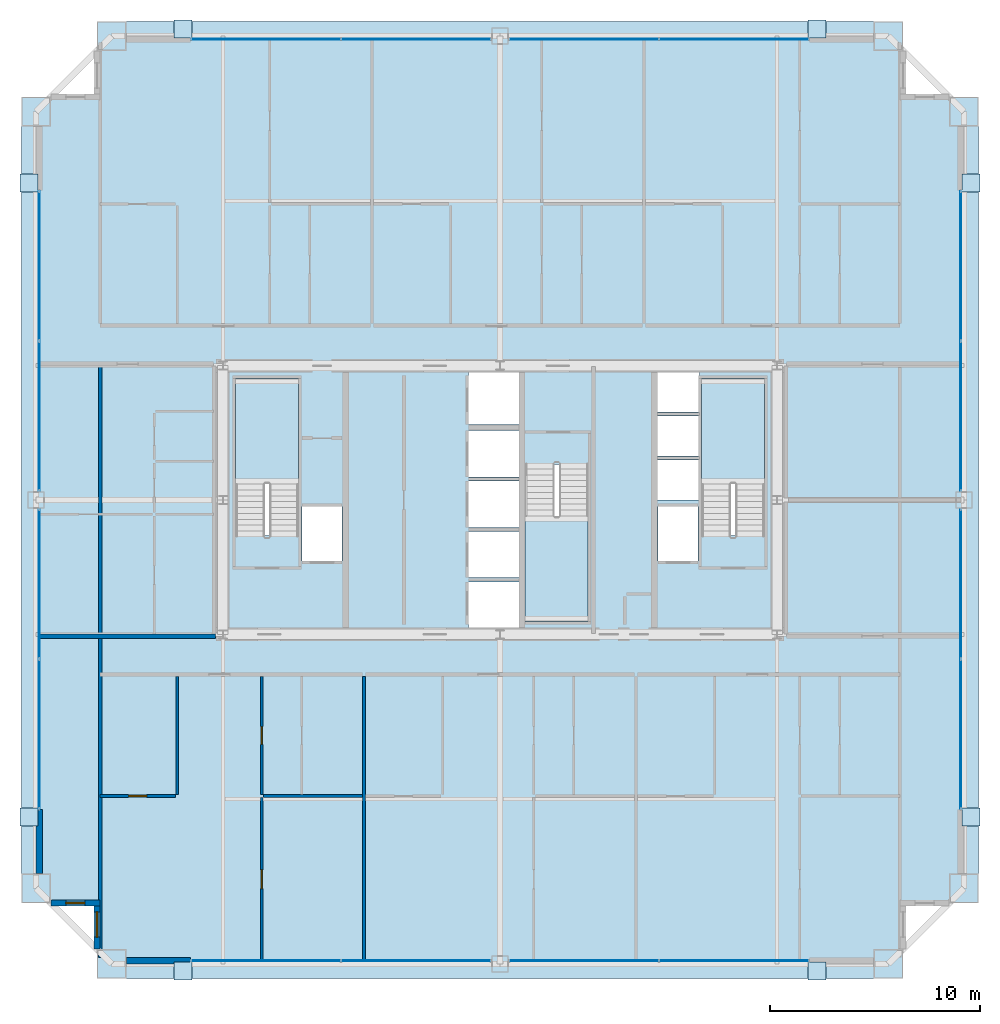
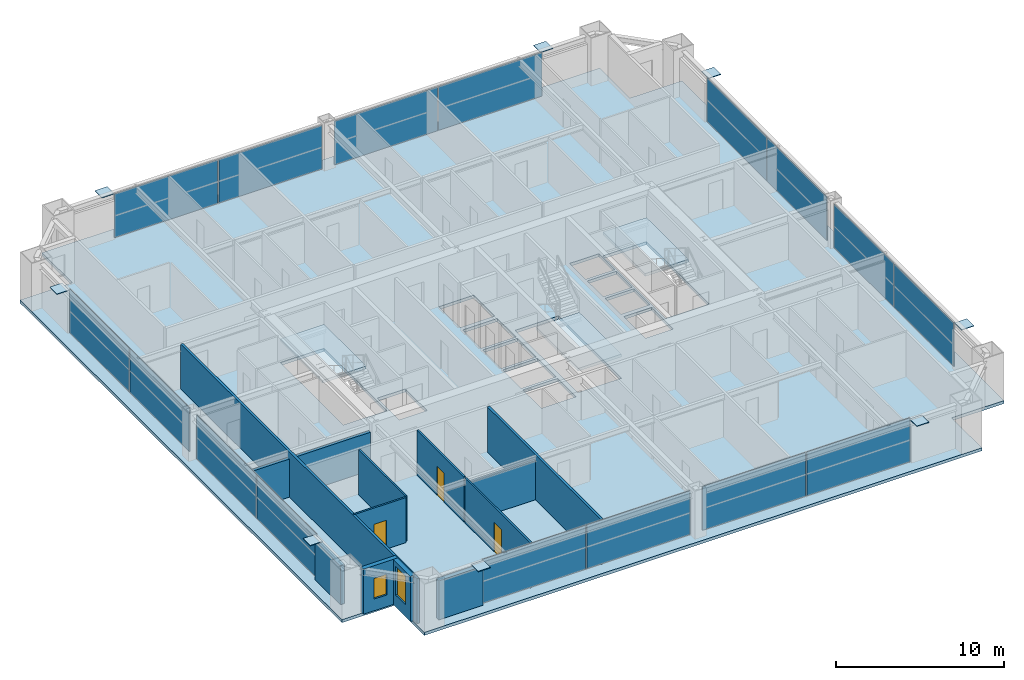
# One storey, part 32 of 38: 24 plates, 12 walls, 4 slabs, 3 doors, 2 windows, 5 openings, 11 elements without a shape of their own.
"""IFC4 building model written with IfcOpenShell, lengths in metres."""

from ifc_helpers import new_model, si_unit, direction, frame, frame_2d, origin, origin_2d, place, context, subcontext, project, spatial, polyline, rectangle, outline, extrude, source, transform, mapped, material, layer, layer_set, type_object, element, fill, aggregate, save


model = new_model("IFC4")

# Units and contexts
model_context = context("Model", 3, precision=1e-05, world=origin(), true_north=direction((0.0, 1.0)))
body_context = subcontext(model_context, "Body", "Model", "MODEL_VIEW")
ifc_project = project(units=[si_unit("LENGTHUNIT", "METRE"), si_unit("AREAUNIT", "SQUARE_METRE"), si_unit("VOLUMEUNIT", "CUBIC_METRE"), si_unit("PLANEANGLEUNIT", "RADIAN"), si_unit("MASSUNIT", "GRAM", prefix="KILO"), si_unit("THERMODYNAMICTEMPERATUREUNIT", "KELVIN"), si_unit("POWERUNIT", "WATT")], contexts=[model_context])

# Site, building, storey
site_placement = place(None, origin())
site = spatial("IfcSite", under=ifc_project, at=site_placement, CompositionType="ELEMENT")
building_placement = place(site_placement, origin())
building = spatial("IfcBuilding", under=site, at=building_placement, Name="Yuzanri Waterfront Tower", CompositionType="ELEMENT")
storey_placement = place(building_placement, frame((0.0, 0.0, 202.0)))
storey = spatial("IfcBuildingStorey", under=building, at=storey_placement, Name="L53", CompositionType="ELEMENT", Elevation=202.0)

# Stair, slab
ifc_material_1 = material(Name="Concrete C40", Category="concrete")
stair_type = type_object("IfcStairType", Name="Concrete C40 Core Dogleg Exit Stair", PredefinedType="HALF_TURN_STAIR", material=ifc_material_1)
stair_1_placement = place(storey_placement, origin())
stair_1 = element("IfcStair", 1, at=stair_1_placement, inside=storey, type_object=stair_type, Name="L53 Smoke-Proof Core Stair ST-01", PredefinedType="HALF_TURN_STAIR")
ifc_material_2 = material(Name="Concrete C40", Category="concrete")
ifc_layer_1 = layer(ifc_material_2, 0.179931640625)
ifc_layer_set_1 = layer_set([ifc_layer_1], Name="Concrete C40")
slab_type_1 = type_object("IfcSlabType", Name="Concrete C40 Stair Half-Landing Slab 180", PredefinedType="LANDING", material=ifc_layer_set_1)
slab_1_placement = place(storey_placement, frame((0.0, 0.0, 1.550048828125)))
slab_1 = element("IfcSlab", 2, at=slab_1_placement, type_object=slab_type_1, Name="ST-01 landing 1", PredefinedType="LANDING", context=body_context, shape_type="SweptSolid", body=[
    extrude(outline(polyline([(27.39990234375, 26.56005859375), (27.39990234375, 31.580078125), (24.39990234375, 31.580078125), (24.39990234375, 26.56005859375), (27.39990234375, 26.56005859375)])), origin(), (0.0, 0.0, 1.0), 0.199951171875),
])
aggregate(stair_1, [slab_1])

stair_2_placement = place(storey_placement, origin())
stair_2 = element("IfcStair", 3, at=stair_2_placement, inside=storey, type_object=stair_type, Name="L53 Smoke-Proof Core Stair ST-02", PredefinedType="HALF_TURN_STAIR")
slab_2_placement = place(storey_placement, frame((0.0, 0.0, 1.550048828125)))
slab_2 = element("IfcSlab", 4, at=slab_2_placement, type_object=slab_type_1, Name="ST-02 landing 1", PredefinedType="LANDING", context=body_context, shape_type="SweptSolid", body=[
    extrude(outline(polyline([(49.60009765625, 26.56005859375), (49.60009765625, 31.580078125), (46.60009765625, 31.580078125), (46.60009765625, 26.56005859375), (49.60009765625, 26.56005859375)])), origin(), (0.0, 0.0, 1.0), 0.199951171875),
])
aggregate(stair_2, [slab_2])

stair_3_placement = place(storey_placement, origin())
stair_3 = element("IfcStair", 5, at=stair_3_placement, inside=storey, type_object=stair_type, Name="L53 Smoke-Proof Core Stair ST-03", PredefinedType="HALF_TURN_STAIR")
slab_3_placement = place(storey_placement, frame((0.0, 0.0, 1.550048828125)))
slab_3 = element("IfcSlab", 6, at=slab_3_placement, type_object=slab_type_1, Name="ST-03 landing 1", PredefinedType="LANDING", context=body_context, shape_type="SweptSolid", body=[
    extrude(outline(polyline([(38.199951171875, 25.0400390625), (38.199951171875, 20.02001953125), (41.199951171875, 20.02001953125), (41.199951171875, 25.0400390625), (38.199951171875, 25.0400390625)])), origin(), (0.0, 0.0, 1.0), 0.199951171875),
])
aggregate(stair_3, [slab_3])

# Slab
ifc_material_3 = material(Name="Concrete C40", Category="concrete")
ifc_layer_2 = layer(ifc_material_3, 0.219970703125)
ifc_layer_set_2 = layer_set([ifc_layer_2], Name="Concrete C40")
slab_type_2 = type_object("IfcSlabType", Name="Concrete C40 Tower Typical Structural Floor Slab 220", PredefinedType="FLOOR", material=ifc_layer_set_2)
slab_4_placement = place(storey_placement, frame((0.0, 0.0, -0.219970703125)))
element("IfcSlab", 7, at=slab_4_placement, inside=storey, type_object=slab_type_2, Name="L53 Main Structural Floor Slab", PredefinedType="FLOOR", context=body_context, shape_type="SweptSolid", body=[
    extrude(outline(polyline([(17.800048828125, 3.0), (56.199951171875, 3.0), (56.199951171875, 6.60009765625), (59.800048828125, 6.60009765625), (59.800048828125, 45.0), (56.199951171875, 45.0), (56.199951171875, 48.60009765625), (17.800048828125, 48.60009765625), (17.800048828125, 45.0), (14.199951171875, 45.0), (14.199951171875, 6.60009765625), (17.800048828125, 6.60009765625), (17.800048828125, 3.0)]), holes=[polyline([(27.39990234375, 24.10009765625), (27.39990234375, 31.580078125), (24.39990234375, 31.580078125), (24.39990234375, 24.10009765625), (27.39990234375, 24.10009765625)]), polyline([(49.60009765625, 24.10009765625), (49.60009765625, 31.580078125), (46.60009765625, 31.580078125), (46.60009765625, 24.10009765625), (49.60009765625, 24.10009765625)]), polyline([(38.199951171875, 27.5), (38.199951171875, 20.02001953125), (41.199951171875, 20.02001953125), (41.199951171875, 27.5), (38.199951171875, 27.5)]), polyline([(27.56005859375, 22.89990234375), (29.47998046875, 22.89990234375), (29.47998046875, 25.5), (27.56005859375, 25.5), (27.56005859375, 22.89990234375)]), polyline([(44.52001953125, 22.89990234375), (46.43994140625, 22.89990234375), (46.43994140625, 25.5), (44.52001953125, 25.5), (44.52001953125, 22.89990234375)]), polyline([(35.5, 19.699951171875), (37.89990234375, 19.699951171875), (37.89990234375, 21.89990234375), (35.5, 21.89990234375), (35.5, 19.699951171875)]), polyline([(35.5, 22.10009765625), (37.89990234375, 22.10009765625), (37.89990234375, 24.300048828125), (35.5, 24.300048828125), (35.5, 22.10009765625)]), polyline([(35.5, 24.5), (37.89990234375, 24.5), (37.89990234375, 26.699951171875), (35.5, 26.699951171875), (35.5, 24.5)]), polyline([(35.5, 26.89990234375), (37.89990234375, 26.89990234375), (37.89990234375, 29.10009765625), (35.5, 29.10009765625), (35.5, 26.89990234375)]), polyline([(35.5, 29.39990234375), (37.89990234375, 29.39990234375), (37.89990234375, 31.89990234375), (35.5, 31.89990234375), (35.5, 29.39990234375)]), polyline([(44.5, 25.800048828125), (46.5, 25.800048828125), (46.5, 27.699951171875), (44.5, 27.699951171875), (44.5, 25.800048828125)]), polyline([(44.5, 27.89990234375), (46.5, 27.89990234375), (46.5, 29.800048828125), (44.5, 29.800048828125), (44.5, 27.89990234375)]), polyline([(44.5, 30.0), (46.5, 30.0), (46.5, 31.89990234375), (44.5, 31.89990234375), (44.5, 30.0)])]), origin(), (0.0, 0.0, 1.0), 0.219970703125),
])

# Plates
ifc_material_4 = material(Name="Steel Q420GJC", Category="steel")
ifc_layer_3 = layer(ifc_material_4, 0.0400390625)
ifc_layer_set_3 = layer_set([ifc_layer_3], Name="Steel Q420GJC")
plate_type_1 = type_object("IfcPlateType", Name="Steel Q420GJC Mega-Brace Gusset and End-Cap Plate 40", PredefinedType="SHEET", material=ifc_layer_set_3)
shared_shape_1 = source(origin(), body_context, "Body", "SweptSolid", [
    extrude(rectangle(XDim=0.85009765625, YDim=0.85009765625, at=origin_2d()), origin(), (0.0, 0.0, 1.0), 0.0400390625),
])
for number, where, z_axis, x_axis, name in (
    (8, (21.89990234375, 3.360107421875, 3.159912109375), (0.0, 0.0, 1.0), (1.0, 0.0, 0.0), "L53 Mega-Brace Apex Cap Plate S-L"),
    (9, (52.10009765625, 3.360107421875, 3.159912109375), (0.0, 0.0, 1.0), (1.0, 0.0, 0.0), "L53 Mega-Brace Apex Cap Plate S-R"),
    (10, (21.89990234375, 48.239990234375, 3.159912109375), (0.0, 0.0, 1.0), (1.0, 0.0, 0.0), "L53 Mega-Brace Apex Cap Plate N-L"),
    (11, (52.10009765625, 48.239990234375, 3.159912109375), (0.0, 0.0, 1.0), (1.0, 0.0, 0.0), "L53 Mega-Brace Apex Cap Plate N-R"),
    (12, (14.56005859375, 10.699951171875, 3.159912109375), (0.0, 0.0, 1.0), (1.0, 0.0, 0.0), "L53 Mega-Brace Apex Cap Plate W-L"),
    (13, (14.56005859375, 40.89990234375, 3.159912109375), (0.0, 0.0, 1.0), (1.0, 0.0, 0.0), "L53 Mega-Brace Apex Cap Plate W-R"),
    (14, (59.43994140625, 10.699951171875, 3.159912109375), (0.0, 0.0, 1.0), (1.0, 0.0, 0.0), "L53 Mega-Brace Apex Cap Plate E-L"),
    (15, (59.43994140625, 40.89990234375, 3.159912109375), (0.0, 0.0, 1.0), (1.0, 0.0, 0.0), "L53 Mega-Brace Apex Cap Plate E-R"),
):
    element("IfcPlate", number, at=place(storey_placement, frame(where, z_axis=z_axis, x_axis=x_axis)), inside=storey, type_object=plate_type_1, Name=name, PredefinedType="SHEET", context=body_context, shape_type="MappedRepresentation", body=[
        mapped(shared_shape_1, transform((0.0, 0.0, 0.0), scale=1.0)),
    ])

# Curtain wall, plates
ifc_material_5 = material(Name="Anodized Architectural Bronze", Category="metal")
ifc_layer_4 = layer(ifc_material_5, 0.159912109375)
ifc_layer_set_4 = layer_set([ifc_layer_4], Name="Anodized Architectural Bronze")
curtain_wall_type = type_object("IfcCurtainWallType", Name="Anodized Bronze Mid-Rise Residential Acoustic Unitized Curtain Wall 7200", PredefinedType="NOTDEFINED", material=ifc_layer_set_4)
curtain_wall_1_placement = place(storey_placement, origin())
curtain_wall_1 = element("IfcCurtainWall", 16, at=curtain_wall_1_placement, inside=storey, type_object=curtain_wall_type, Name="L53 Curtain Wall CW-L53-SL", PredefinedType="NOTDEFINED")
ifc_material_6 = material(Name="Triple Low-E Laminated Insulated Glass", Category="glass")
ifc_layer_5 = layer(ifc_material_6, 0.0439453125)
ifc_layer_set_5 = layer_set([ifc_layer_5], Name="Triple Low-E Laminated Insulated Glass")
plate_type_2 = type_object("IfcPlateType", Name="Triple Glazed Acoustic Vision Glass Panel 44", PredefinedType="CURTAIN_PANEL", material=ifc_layer_set_5)
shared_shape_2 = source(origin(), body_context, "Body", "SweptSolid", [
    extrude(rectangle(XDim=7.094970703125, YDim=0.0439453125, at=origin_2d()), origin(), (0.0, 0.0, 1.0), 3.179931640625),
])
plate_1_placement = place(storey_placement, frame((25.83740234375, 3.85009765625, 0.0498046875), z_axis=(0.0, 0.0, 1.0), x_axis=(1.0, 0.0, 0.0)))
plate_1 = element("IfcPlate", 17, at=plate_1_placement, type_object=plate_type_2, Name="CW-L53-SL Vision Glass Panel 01", PredefinedType="CURTAIN_PANEL", context=body_context, shape_type="MappedRepresentation", body=[
    mapped(shared_shape_2, transform((0.0, 0.0, 0.0), scale=1.0)),
])
plate_2_placement = place(storey_placement, frame((33.012451171875, 3.85009765625, 0.0498046875), z_axis=(0.0, 0.0, 1.0), x_axis=(1.0, 0.0, 0.0)))
plate_2 = element("IfcPlate", 18, at=plate_2_placement, type_object=plate_type_2, Name="CW-L53-SL Vision Glass Panel 02", PredefinedType="CURTAIN_PANEL", context=body_context, shape_type="MappedRepresentation", body=[
    mapped(shared_shape_2, transform((0.0, 0.0, 0.0), scale=1.0)),
])
aggregate(curtain_wall_1, [plate_1, plate_2])

curtain_wall_2_placement = place(storey_placement, origin())
curtain_wall_2 = element("IfcCurtainWall", 19, at=curtain_wall_2_placement, inside=storey, type_object=curtain_wall_type, Name="L53 Curtain Wall CW-L53-SR", PredefinedType="NOTDEFINED")
plate_3_placement = place(storey_placement, frame((40.987548828125, 3.85009765625, 0.0498046875), z_axis=(0.0, 0.0, 1.0), x_axis=(1.0, 0.0, 0.0)))
plate_3 = element("IfcPlate", 20, at=plate_3_placement, type_object=plate_type_2, Name="CW-L53-SR Vision Glass Panel 01", PredefinedType="CURTAIN_PANEL", context=body_context, shape_type="MappedRepresentation", body=[
    mapped(shared_shape_2, transform((0.0, 0.0, 0.0), scale=1.0)),
])
plate_4_placement = place(storey_placement, frame((48.16259765625, 3.85009765625, 0.0498046875), z_axis=(0.0, 0.0, 1.0), x_axis=(1.0, 0.0, 0.0)))
plate_4 = element("IfcPlate", 21, at=plate_4_placement, type_object=plate_type_2, Name="CW-L53-SR Vision Glass Panel 02", PredefinedType="CURTAIN_PANEL", context=body_context, shape_type="MappedRepresentation", body=[
    mapped(shared_shape_2, transform((0.0, 0.0, 0.0), scale=1.0)),
])
aggregate(curtain_wall_2, [plate_3, plate_4])

curtain_wall_3_placement = place(storey_placement, origin())
curtain_wall_3 = element("IfcCurtainWall", 22, at=curtain_wall_3_placement, inside=storey, type_object=curtain_wall_type, Name="L53 Curtain Wall CW-L53-NL", PredefinedType="NOTDEFINED")
plate_5_placement = place(storey_placement, frame((25.83740234375, 47.75, 0.0498046875), z_axis=(0.0, 0.0, 1.0), x_axis=(1.0, 0.0, 0.0)))
plate_5 = element("IfcPlate", 23, at=plate_5_placement, type_object=plate_type_2, Name="CW-L53-NL Vision Glass Panel 01", PredefinedType="CURTAIN_PANEL", context=body_context, shape_type="MappedRepresentation", body=[
    mapped(shared_shape_2, transform((0.0, 0.0, 0.0), scale=1.0)),
])
plate_6_placement = place(storey_placement, frame((33.012451171875, 47.75, 0.0498046875), z_axis=(0.0, 0.0, 1.0), x_axis=(1.0, 0.0, 0.0)))
plate_6 = element("IfcPlate", 24, at=plate_6_placement, type_object=plate_type_2, Name="CW-L53-NL Vision Glass Panel 02", PredefinedType="CURTAIN_PANEL", context=body_context, shape_type="MappedRepresentation", body=[
    mapped(shared_shape_2, transform((0.0, 0.0, 0.0), scale=1.0)),
])
aggregate(curtain_wall_3, [plate_5, plate_6])

curtain_wall_4_placement = place(storey_placement, origin())
curtain_wall_4 = element("IfcCurtainWall", 25, at=curtain_wall_4_placement, inside=storey, type_object=curtain_wall_type, Name="L53 Curtain Wall CW-L53-NR", PredefinedType="NOTDEFINED")
plate_7_placement = place(storey_placement, frame((40.987548828125, 47.75, 0.0498046875), z_axis=(0.0, 0.0, 1.0), x_axis=(1.0, 0.0, 0.0)))
plate_7 = element("IfcPlate", 26, at=plate_7_placement, type_object=plate_type_2, Name="CW-L53-NR Vision Glass Panel 01", PredefinedType="CURTAIN_PANEL", context=body_context, shape_type="MappedRepresentation", body=[
    mapped(shared_shape_2, transform((0.0, 0.0, 0.0), scale=1.0)),
])
plate_8_placement = place(storey_placement, frame((48.16259765625, 47.75, 0.0498046875), z_axis=(0.0, 0.0, 1.0), x_axis=(1.0, 0.0, 0.0)))
plate_8 = element("IfcPlate", 27, at=plate_8_placement, type_object=plate_type_2, Name="CW-L53-NR Vision Glass Panel 02", PredefinedType="CURTAIN_PANEL", context=body_context, shape_type="MappedRepresentation", body=[
    mapped(shared_shape_2, transform((0.0, 0.0, 0.0), scale=1.0)),
])
aggregate(curtain_wall_4, [plate_7, plate_8])

curtain_wall_5_placement = place(storey_placement, origin())
curtain_wall_5 = element("IfcCurtainWall", 28, at=curtain_wall_5_placement, inside=storey, type_object=curtain_wall_type, Name="L53 Curtain Wall CW-L53-WL", PredefinedType="NOTDEFINED")
plate_9_placement = place(storey_placement, frame((15.050048828125, 14.637451171875, 0.0498046875), z_axis=(0.0, 0.0, 1.0), x_axis=(0.0, 1.0, 0.0)))
plate_9 = element("IfcPlate", 29, at=plate_9_placement, type_object=plate_type_2, Name="CW-L53-WL Vision Glass Panel 01", PredefinedType="CURTAIN_PANEL", context=body_context, shape_type="MappedRepresentation", body=[
    mapped(shared_shape_2, transform((0.0, 0.0, 0.0), scale=1.0)),
])
plate_10_placement = place(storey_placement, frame((15.050048828125, 21.8125, 0.0498046875), z_axis=(0.0, 0.0, 1.0), x_axis=(0.0, 1.0, 0.0)))
plate_10 = element("IfcPlate", 30, at=plate_10_placement, type_object=plate_type_2, Name="CW-L53-WL Vision Glass Panel 02", PredefinedType="CURTAIN_PANEL", context=body_context, shape_type="MappedRepresentation", body=[
    mapped(shared_shape_2, transform((0.0, 0.0, 0.0), scale=1.0)),
])
aggregate(curtain_wall_5, [plate_9, plate_10])

curtain_wall_6_placement = place(storey_placement, origin())
curtain_wall_6 = element("IfcCurtainWall", 31, at=curtain_wall_6_placement, inside=storey, type_object=curtain_wall_type, Name="L53 Curtain Wall CW-L53-WR", PredefinedType="NOTDEFINED")
plate_11_placement = place(storey_placement, frame((15.050048828125, 29.78759765625, 0.0498046875), z_axis=(0.0, 0.0, 1.0), x_axis=(0.0, 1.0, 0.0)))
plate_11 = element("IfcPlate", 32, at=plate_11_placement, type_object=plate_type_2, Name="CW-L53-WR Vision Glass Panel 01", PredefinedType="CURTAIN_PANEL", context=body_context, shape_type="MappedRepresentation", body=[
    mapped(shared_shape_2, transform((0.0, 0.0, 0.0), scale=1.0)),
])
plate_12_placement = place(storey_placement, frame((15.050048828125, 36.96240234375, 0.0498046875), z_axis=(0.0, 0.0, 1.0), x_axis=(0.0, 1.0, 0.0)))
plate_12 = element("IfcPlate", 33, at=plate_12_placement, type_object=plate_type_2, Name="CW-L53-WR Vision Glass Panel 02", PredefinedType="CURTAIN_PANEL", context=body_context, shape_type="MappedRepresentation", body=[
    mapped(shared_shape_2, transform((0.0, 0.0, 0.0), scale=1.0)),
])
aggregate(curtain_wall_6, [plate_11, plate_12])

curtain_wall_7_placement = place(storey_placement, origin())
curtain_wall_7 = element("IfcCurtainWall", 34, at=curtain_wall_7_placement, inside=storey, type_object=curtain_wall_type, Name="L53 Curtain Wall CW-L53-EL", PredefinedType="NOTDEFINED")
plate_13_placement = place(storey_placement, frame((58.949951171875, 14.637451171875, 0.0498046875), z_axis=(0.0, 0.0, 1.0), x_axis=(0.0, 1.0, 0.0)))
plate_13 = element("IfcPlate", 35, at=plate_13_placement, type_object=plate_type_2, Name="CW-L53-EL Vision Glass Panel 01", PredefinedType="CURTAIN_PANEL", context=body_context, shape_type="MappedRepresentation", body=[
    mapped(shared_shape_2, transform((0.0, 0.0, 0.0), scale=1.0)),
])
plate_14_placement = place(storey_placement, frame((58.949951171875, 21.8125, 0.0498046875), z_axis=(0.0, 0.0, 1.0), x_axis=(0.0, 1.0, 0.0)))
plate_14 = element("IfcPlate", 36, at=plate_14_placement, type_object=plate_type_2, Name="CW-L53-EL Vision Glass Panel 02", PredefinedType="CURTAIN_PANEL", context=body_context, shape_type="MappedRepresentation", body=[
    mapped(shared_shape_2, transform((0.0, 0.0, 0.0), scale=1.0)),
])
aggregate(curtain_wall_7, [plate_13, plate_14])

curtain_wall_8_placement = place(storey_placement, origin())
curtain_wall_8 = element("IfcCurtainWall", 37, at=curtain_wall_8_placement, inside=storey, type_object=curtain_wall_type, Name="L53 Curtain Wall CW-L53-ER", PredefinedType="NOTDEFINED")
plate_15_placement = place(storey_placement, frame((58.949951171875, 29.78759765625, 0.0498046875), z_axis=(0.0, 0.0, 1.0), x_axis=(0.0, 1.0, 0.0)))
plate_15 = element("IfcPlate", 38, at=plate_15_placement, type_object=plate_type_2, Name="CW-L53-ER Vision Glass Panel 01", PredefinedType="CURTAIN_PANEL", context=body_context, shape_type="MappedRepresentation", body=[
    mapped(shared_shape_2, transform((0.0, 0.0, 0.0), scale=1.0)),
])
plate_16_placement = place(storey_placement, frame((58.949951171875, 36.96240234375, 0.0498046875), z_axis=(0.0, 0.0, 1.0), x_axis=(0.0, 1.0, 0.0)))
plate_16 = element("IfcPlate", 39, at=plate_16_placement, type_object=plate_type_2, Name="CW-L53-ER Vision Glass Panel 02", PredefinedType="CURTAIN_PANEL", context=body_context, shape_type="MappedRepresentation", body=[
    mapped(shared_shape_2, transform((0.0, 0.0, 0.0), scale=1.0)),
])
aggregate(curtain_wall_8, [plate_15, plate_16])

# Wall, opening, door
ifc_material_7 = material(Name="Moisture-Resistant Gypsum Stud Wall", Category="gypsum")
ifc_layer_6 = layer(ifc_material_7, 0.1201171875)
ifc_layer_set_6 = layer_set([ifc_layer_6], Name="Moisture-Resistant Gypsum Stud Wall")
wall_type_1 = type_object("IfcWallType", Name="Bathroom and Kitchen Wet Partition 120", PredefinedType="PARTITIONING", material=ifc_layer_set_6)
wall_1_placement = place(storey_placement, frame((17.93994140625, 11.699951171875, 0.0), z_axis=(0.0, 0.0, 1.0), x_axis=(1.0, 0.0, 0.0)))
wall_1 = element("IfcWall", 40, at=wall_1_placement, inside=storey, type_object=wall_type_1, Name="L53 Partition UW-L53-RS1-SUB-1-S", PredefinedType="PARTITIONING", context=body_context, shape_type="SweptSolid", body=[
    extrude(rectangle(XDim=3.60009765625, YDim=0.1201171875, at=frame_2d((1.800048828125, 0.0))), origin(), (0.0, 0.0, 1.0), 3.280029296875),
])
opening_1_placement = place(wall_1_placement, frame((1.375, 0.0, 0.0)))
opening_1 = element("IfcOpeningElement", 41, at=opening_1_placement, cuts=wall_1, Name="Opening ID-0850", PredefinedType="OPENING", context=body_context, shape_type="SweptSolid", body=[
    extrude(rectangle(XDim=0.85009765625, YDim=2.10009765625, at=frame_2d((0.425048828125, 1.050048828125))), frame((0.0, 0.074951171875, 0.0), z_axis=(0.0, -1.0, 0.0), x_axis=(1.0, 0.0, 0.0)), (0.0, 0.0, 1.0), 0.14990234375),
])
ifc_material_8 = material(Name="Moisture-Resistant Lacquered Timber", Category="wood")
door_type_1 = type_object("IfcDoorType", Name="En-Suite Bathroom and Kitchen Swing Door 850x2100", OperationType="NOTDEFINED", PredefinedType="DOOR", material=ifc_material_8)
shared_shape_3 = source(origin(), body_context, "Body", "SweptSolid", [
    extrude(rectangle(XDim=0.85009765625, YDim=2.10009765625, at=frame_2d((0.425048828125, 1.050048828125))), frame((0.0, 0.02490234375, 0.0), z_axis=(0.0, -1.0, 0.0), x_axis=(1.0, 0.0, 0.0)), (0.0, 0.0, 1.0), 0.050048828125),
])
door_1_placement = place(opening_1_placement, origin())
door_1 = element("IfcDoor", 42, at=door_1_placement, inside=storey, type_object=door_type_1, Name="L53 Suite Interior Room Door", OperationType="SINGLE_SWING_LEFT", OverallHeight=2.10009765625, OverallWidth=0.85009765625, PredefinedType="DOOR", context=body_context, shape_type="MappedRepresentation", body=[
    mapped(shared_shape_3, transform((0.0, 0.0, 0.0), scale=1.0)),
])
fill(opening_1, door_1)

wall_2_placement = place(storey_placement, frame((25.64794921875, 3.85009765625, 0.0), z_axis=(0.0, 0.0, 1.0), x_axis=(0.0, 1.0, 0.0)))
wall_2 = element("IfcWall", 43, at=wall_2_placement, inside=storey, type_object=wall_type_1, Name="L53 Partition UW-L53-RS1-SUB-3-W", PredefinedType="PARTITIONING", context=body_context, shape_type="SweptSolid", body=[
    extrude(rectangle(XDim=7.77001953125, YDim=0.1201171875, at=frame_2d((3.885009765625, 0.0))), origin(), (0.0, 0.0, 1.0), 3.280029296875),
])
opening_2_placement = place(wall_2_placement, frame((3.43505859375, 0.0, 0.0)))
opening_2 = element("IfcOpeningElement", 44, at=opening_2_placement, cuts=wall_2, Name="Opening ID-0900", PredefinedType="OPENING", context=body_context, shape_type="SweptSolid", body=[
    extrude(rectangle(XDim=0.89990234375, YDim=2.14990234375, at=frame_2d((0.449951171875, 1.074951171875))), frame((0.0, 0.074951171875, 0.0), z_axis=(0.0, -1.0, 0.0), x_axis=(1.0, 0.0, 0.0)), (0.0, 0.0, 1.0), 0.14990234375),
])
ifc_material_9 = material(Name="Stained Walnut Veneer Timber", Category="wood")
door_type_2 = type_object("IfcDoorType", Name="Bedroom and Study Interior Swing Door 900x2150", OperationType="NOTDEFINED", PredefinedType="DOOR", material=ifc_material_9)
shared_shape_4 = source(origin(), body_context, "Body", "SweptSolid", [
    extrude(rectangle(XDim=0.89990234375, YDim=2.14990234375, at=frame_2d((0.449951171875, 1.074951171875))), frame((0.0, 0.02490234375, 0.0), z_axis=(0.0, -1.0, 0.0), x_axis=(1.0, 0.0, 0.0)), (0.0, 0.0, 1.0), 0.050048828125),
])
door_2_placement = place(opening_2_placement, origin())
door_2 = element("IfcDoor", 45, at=door_2_placement, inside=storey, type_object=door_type_2, Name="L53 Suite Interior Room Door", OperationType="SINGLE_SWING_LEFT", OverallHeight=2.14990234375, OverallWidth=0.89990234375, PredefinedType="DOOR", context=body_context, shape_type="MappedRepresentation", body=[
    mapped(shared_shape_4, transform((0.0, 0.0, 0.0), scale=1.0)),
])
fill(opening_2, door_2)

wall_3_placement = place(storey_placement, frame((25.64794921875, 11.780029296875, 0.0), z_axis=(0.0, 0.0, 1.0), x_axis=(0.0, 1.0, 0.0)))
wall_3 = element("IfcWall", 46, at=wall_3_placement, inside=storey, type_object=wall_type_1, Name="L53 Partition UW-L53-RS1-SUB-4-W", PredefinedType="PARTITIONING", context=body_context, shape_type="SweptSolid", body=[
    extrude(rectangle(XDim=5.60986328125, YDim=0.1201171875, at=frame_2d((2.804931640625, 0.0))), origin(), (0.0, 0.0, 1.0), 3.280029296875),
])
opening_3_placement = place(wall_3_placement, frame((2.3798828125, 0.0, 0.0)))
opening_3 = element("IfcOpeningElement", 47, at=opening_3_placement, cuts=wall_3, Name="Opening ID-0850", PredefinedType="OPENING", context=body_context, shape_type="SweptSolid", body=[
    extrude(rectangle(XDim=0.85009765625, YDim=2.10009765625, at=frame_2d((0.425048828125, 1.050048828125))), frame((0.0, 0.074951171875, 0.0), z_axis=(0.0, -1.0, 0.0), x_axis=(1.0, 0.0, 0.0)), (0.0, 0.0, 1.0), 0.14990234375),
])
door_3_placement = place(opening_3_placement, origin())
door_3 = element("IfcDoor", 48, at=door_3_placement, inside=storey, type_object=door_type_1, Name="L53 Suite Interior Room Door", OperationType="SINGLE_SWING_RIGHT", OverallHeight=2.10009765625, OverallWidth=0.85009765625, PredefinedType="DOOR", context=body_context, shape_type="MappedRepresentation", body=[
    mapped(shared_shape_3, transform((0.0, 0.0, 0.0), scale=1.0)),
])
fill(opening_3, door_3)

# Wall, opening, window
ifc_material_10 = material(Name="Honed Chongqing Dark Basalt Stone", Category="masonry")
ifc_layer_7 = layer(ifc_material_10, 0.300048828125)
ifc_layer_set_7 = layer_set([ifc_layer_7], Name="Honed Chongqing Dark Basalt Stone")
wall_type_2 = type_object("IfcWallType", Name="Bronze Rainscreen Insulated Spandrel Portal Wall 300", PredefinedType="SOLIDWALL", material=ifc_layer_set_7)
wall_4_placement = place(storey_placement, frame((15.60009765625, 6.60009765625, 0.0), z_axis=(0.0, 0.0, 1.0), x_axis=(1.0, 0.0, 0.0)))
wall_4 = element("IfcWall", 49, at=wall_4_placement, inside=storey, type_object=wall_type_2, Name="L53 Notched Corner Masonry Wall SW-X", PredefinedType="SOLIDWALL", context=body_context, shape_type="SweptSolid", body=[
    extrude(rectangle(XDim=2.349853515625, YDim=0.300048828125, at=frame_2d((1.1748046875, 0.0))), origin(), (0.0, 0.0, 1.0), 3.280029296875),
])
opening_4_placement = place(wall_4_placement, frame((0.72509765625, 0.0, 0.85009765625)))
opening_4 = element("IfcOpeningElement", 50, at=opening_4_placement, cuts=wall_4, Name="Opening WN-05", PredefinedType="OPENING", context=body_context, shape_type="SweptSolid", body=[
    extrude(rectangle(XDim=0.89990234375, YDim=1.5, at=frame_2d((0.449951171875, 0.75))), frame((0.0, 0.1650390625, 0.0), z_axis=(0.0, -1.0, 0.0), x_axis=(1.0, 0.0, 0.0)), (0.0, 0.0, 1.0), 0.329833984375),
])
ifc_material_11 = material(Name="Double-Silver Low-E Insulated Glass", Category="glass")
window_type_1 = type_object("IfcWindowType", Name="Anodized Bronze Service and Stairwell Smoke-Vent Window 900x1500", PartitioningType="SINGLE_PANEL", PredefinedType="WINDOW", material=ifc_material_11)
shared_shape_5 = source(origin(), body_context, "Body", "SweptSolid", [
    extrude(rectangle(XDim=0.89990234375, YDim=1.5, at=frame_2d((0.449951171875, 0.75))), frame((0.0, 0.030029296875, 0.0), z_axis=(0.0, -1.0, 0.0), x_axis=(1.0, 0.0, 0.0)), (0.0, 0.0, 1.0), 0.06005859375),
])
window_1_placement = place(opening_4_placement, origin())
window_1 = element("IfcWindow", 51, at=window_1_placement, inside=storey, type_object=window_type_1, Name="L53 Notched Corner Window SW-X", OverallHeight=1.5, OverallWidth=0.89990234375, PartitioningType="SINGLE_PANEL", PredefinedType="WINDOW", context=body_context, shape_type="MappedRepresentation", body=[
    mapped(shared_shape_5, transform((0.0, 0.0, 0.0), scale=1.0)),
])
fill(opening_4, window_1)

wall_5_placement = place(storey_placement, frame((17.800048828125, 6.75, 0.0), z_axis=(0.0, 0.0, 1.0), x_axis=(0.0, -1.0, 0.0)))
wall_5 = element("IfcWall", 52, at=wall_5_placement, inside=storey, type_object=wall_type_2, Name="L53 Notched Corner Masonry Wall SW-Y", PredefinedType="SOLIDWALL", context=body_context, shape_type="SweptSolid", body=[
    extrude(rectangle(XDim=2.35009765625, YDim=0.300048828125, at=frame_2d((1.175048828125, 0.0))), origin(), (0.0, 0.0, 1.0), 3.280029296875),
])
opening_5_placement = place(wall_5_placement, frame((0.574951171875, 0.0, 0.85009765625)))
opening_5 = element("IfcOpeningElement", 53, at=opening_5_placement, cuts=wall_5, Name="Opening WN-02", PredefinedType="OPENING", context=body_context, shape_type="SweptSolid", body=[
    extrude(rectangle(XDim=1.199951171875, YDim=2.10009765625, at=frame_2d((0.60009765625, 1.050048828125))), frame((0.0, 0.1650390625, 0.0), z_axis=(0.0, -1.0, 0.0), x_axis=(1.0, 0.0, 0.0)), (0.0, 0.0, 1.0), 0.329833984375),
])
ifc_material_12 = material(Name="Double-Silver Low-E Insulated Glass", Category="glass")
window_type_2 = type_object("IfcWindowType", Name="Anodized Bronze Notched Corner Deep-Set Slot Window 1200x2100", PartitioningType="SINGLE_PANEL", PredefinedType="WINDOW", material=ifc_material_12)
shared_shape_6 = source(origin(), body_context, "Body", "SweptSolid", [
    extrude(rectangle(XDim=1.199951171875, YDim=2.10009765625, at=frame_2d((0.60009765625, 1.050048828125))), frame((0.0, 0.030029296875, 0.0), z_axis=(0.0, -1.0, 0.0), x_axis=(1.0, 0.0, 0.0)), (0.0, 0.0, 1.0), 0.06005859375),
])
window_2_placement = place(opening_5_placement, origin())
window_2 = element("IfcWindow", 54, at=window_2_placement, inside=storey, type_object=window_type_2, Name="L53 Notched Corner Window SW-Y", OverallHeight=2.10009765625, OverallWidth=1.199951171875, PartitioningType="SINGLE_PANEL", PredefinedType="WINDOW", context=body_context, shape_type="MappedRepresentation", body=[
    mapped(shared_shape_6, transform((0.0, 0.0, 0.0), scale=1.0)),
])
fill(opening_5, window_2)

# Walls
shared_shape_7 = source(origin(), body_context, "Body", "SweptSolid", [
    extrude(rectangle(XDim=3.050048828125, YDim=0.300048828125, at=frame_2d((1.52490234375, 0.0))), origin(), (0.0, 0.0, 1.0), 2.8349609375),
])
for number, where, z_axis, x_axis, name in (
    (55, (19.199951171875, 3.85009765625, 0.0), (0.0, 0.0, 1.0), (1.0, 0.0, 0.0), "L53 S Left Braced Masonry Shoulder"),
    (56, (15.050048828125, 8.0, 0.0), (0.0, 0.0, 1.0), (0.0, 1.0, 0.0), "L53 W Left Braced Masonry Shoulder"),
):
    element("IfcWall", number, at=place(storey_placement, frame(where, z_axis=z_axis, x_axis=x_axis)), inside=storey, type_object=wall_type_2, Name=name, PredefinedType="SOLIDWALL", context=body_context, shape_type="MappedRepresentation", body=[
        mapped(shared_shape_7, transform((0.0, 0.0, 0.0), scale=1.0)),
    ])
ifc_material_13 = material(Name="Gypsum Fireboard Acoustic Stud Wall", Category="gypsum")
ifc_layer_8 = layer(ifc_material_13, 0.159912109375)
ifc_layer_set_8 = layer_set([ifc_layer_8], Name="Gypsum Fireboard Acoustic Stud Wall")
wall_type_3 = type_object("IfcWallType", Name="Acoustic Suite Demising Partition 160", PredefinedType="PARTITIONING", material=ifc_layer_set_8)
shared_shape_8 = source(origin(), body_context, "Body", "SweptSolid", [
    extrude(rectangle(XDim=13.539794921875, YDim=0.159912109375, at=frame_2d((6.77001953125, 0.0))), origin(), (0.0, 0.0, 1.0), 3.280029296875),
])
wall_6_placement = place(storey_placement, frame((30.52001953125, 3.85009765625, 0.0), z_axis=(0.0, 0.0, 1.0), x_axis=(0.0, 1.0, 0.0)))
element("IfcWall", 57, at=wall_6_placement, inside=storey, type_object=wall_type_3, Name="L53-RS1 Party Wall", PredefinedType="PARTITIONING", context=body_context, shape_type="MappedRepresentation", body=[
    mapped(shared_shape_8, transform((0.0, 0.0, 0.0), scale=1.0)),
])
ifc_material_14 = material(Name="Autoclaved Aerated Concrete Blockwork", Category="masonry")
ifc_layer_9 = layer(ifc_material_14, 0.199951171875)
ifc_layer_set_9 = layer_set([ifc_layer_9], Name="Autoclaved Aerated Concrete Blockwork")
wall_type_4 = type_object("IfcWallType", Name="Corridor and Unit Party Fire Wall 200", PredefinedType="PARTITIONING", material=ifc_layer_set_9)
shared_shape_9 = source(origin(), body_context, "Body", "SweptSolid", [
    extrude(rectangle(XDim=8.39990234375, YDim=0.199951171875, at=frame_2d((4.199951171875, 0.0))), origin(), (0.0, 0.0, 1.0), 2.77490234375),
])
wall_7_placement = place(storey_placement, frame((15.050048828125, 19.31005859375, 0.0), z_axis=(0.0, 0.0, 1.0), x_axis=(1.0, 0.0, 0.0)))
element("IfcWall", 58, at=wall_7_placement, inside=storey, type_object=wall_type_4, Name="L53-RW1 Wing South Wall", PredefinedType="PARTITIONING", context=body_context, shape_type="MappedRepresentation", body=[
    mapped(shared_shape_9, transform((0.0, 0.0, 0.0), scale=1.0)),
])
shared_shape_10 = source(origin(), body_context, "Body", "SweptSolid", [
    extrude(rectangle(XDim=5.60986328125, YDim=0.1201171875, at=frame_2d((2.804931640625, 0.0))), origin(), (0.0, 0.0, 1.0), 3.280029296875),
])
wall_8_placement = place(storey_placement, frame((21.6201171875, 11.780029296875, 0.0), z_axis=(0.0, 0.0, 1.0), x_axis=(0.0, 1.0, 0.0)))
element("IfcWall", 59, at=wall_8_placement, inside=storey, type_object=wall_type_1, Name="L53 Partition UW-L53-RS1-SUB-1-E", PredefinedType="PARTITIONING", context=body_context, shape_type="MappedRepresentation", body=[
    mapped(shared_shape_10, transform((0.0, 0.0, 0.0), scale=1.0)),
])
shared_shape_11 = source(origin(), body_context, "Body", "SweptSolid", [
    extrude(rectangle(XDim=28.18994140625, YDim=0.159912109375, at=frame_2d((14.094970703125, 0.0))), origin(), (0.0, 0.0, 1.0), 3.280029296875),
])
wall_9_placement = place(storey_placement, frame((17.949951171875, 4.0, 0.0), z_axis=(0.0, 0.0, 1.0), x_axis=(0.0, 1.0, 0.0)))
element("IfcWall", 60, at=wall_9_placement, inside=storey, type_object=wall_type_3, Name="L53 South Band West End Wall", PredefinedType="PARTITIONING", context=body_context, shape_type="MappedRepresentation", body=[
    mapped(shared_shape_11, transform((0.0, 0.0, 0.0), scale=1.0)),
])
shared_shape_12 = source(origin(), body_context, "Body", "SweptSolid", [
    extrude(rectangle(XDim=4.7119140625, YDim=0.1201171875, at=frame_2d((2.35595703125, 0.0))), origin(), (0.0, 0.0, 1.0), 2.875),
])
wall_10_placement = place(storey_placement, frame((25.72802734375, 11.699951171875, 0.0), z_axis=(0.0, 0.0, 1.0), x_axis=(1.0, 0.0, 0.0)))
element("IfcWall", 61, at=wall_10_placement, inside=storey, type_object=wall_type_1, Name="L53 Partition UW-L53-RS1-SUB-3-N", PredefinedType="PARTITIONING", context=body_context, shape_type="MappedRepresentation", body=[
    mapped(shared_shape_12, transform((0.0, 0.0, 0.0), scale=1.0)),
])

save(model, "model.ifc")
